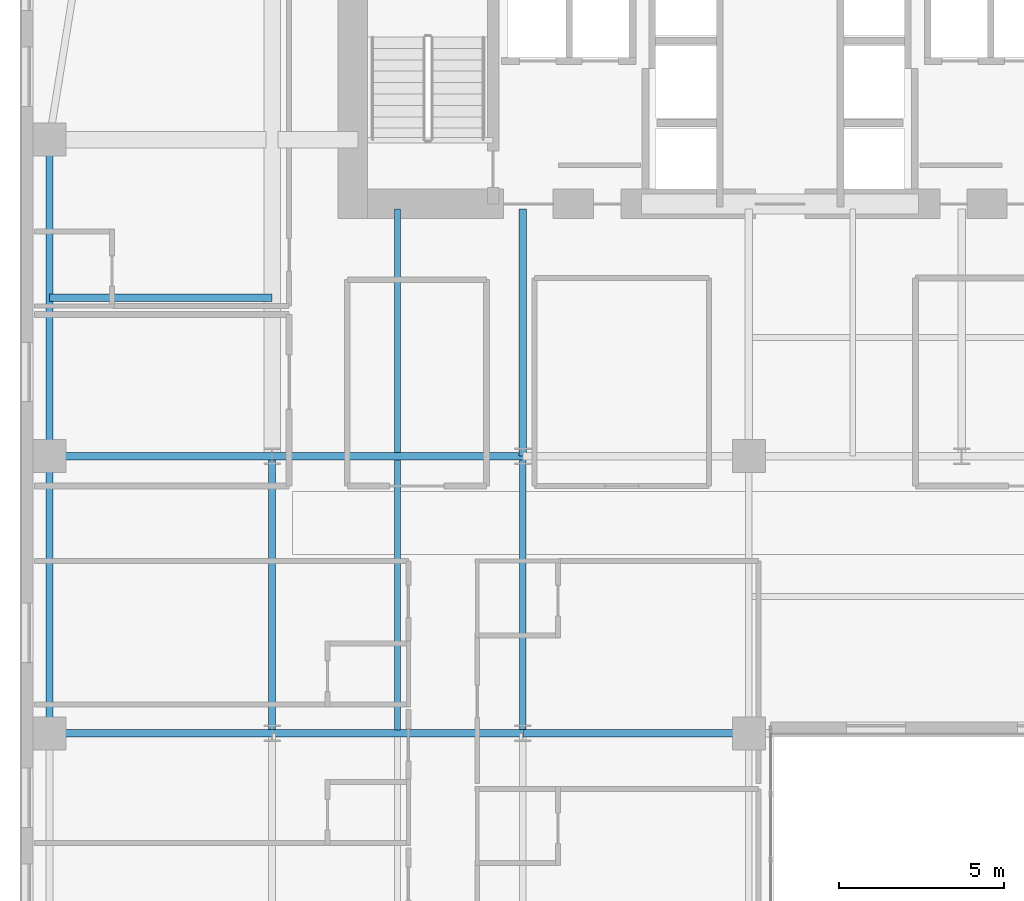
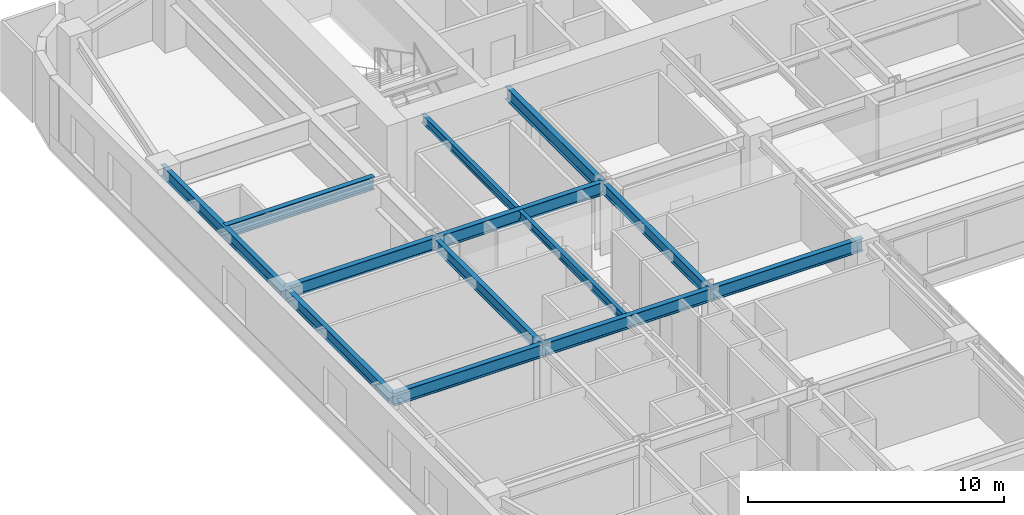
# One storey, part 4 of 25: 13 beams.
"""IFC4 building model written with IfcOpenShell, lengths in metres."""

from ifc_helpers import new_model, si_unit, direction, frame, origin, origin_2d, place, context, subcontext, project, spatial, i_section, extrude, source, transform, mapped, material, material_profile, profile_set, type_object, type_shapes, element, save


model = new_model("IFC4")

# Units and contexts
model_context = context("Model", 3, precision=1e-05, world=origin(), true_north=direction((0.0, 1.0)))
body_context = subcontext(model_context, "Body", "Model", "MODEL_VIEW")
ifc_project = project(units=[si_unit("LENGTHUNIT", "METRE"), si_unit("AREAUNIT", "SQUARE_METRE"), si_unit("VOLUMEUNIT", "CUBIC_METRE"), si_unit("PLANEANGLEUNIT", "RADIAN"), si_unit("MASSUNIT", "GRAM", prefix="KILO")], contexts=[model_context])

# Site, building, storey
site_placement = place(None, origin())
site = spatial("IfcSite", under=ifc_project, at=site_placement, CompositionType="ELEMENT")
building_placement = place(site_placement, origin())
building = spatial("IfcBuilding", under=site, at=building_placement, Name="Tolvann Quenvar Hotel", CompositionType="ELEMENT")
storey_placement = place(building_placement, frame((0.0, 0.0, 39.10009765625)))
storey = spatial("IfcBuildingStorey", under=building, at=storey_placement, Name="L08", CompositionType="ELEMENT", Elevation=39.10009765625)

# Beams
ifc_material = material(Name="Steel Grade 350", Category="steel")
ifc_material_profile_1 = material_profile(ifc_material, i_section(OverallWidth=0.22900390625, OverallDepth=0.612060546875, WebThickness=0.011962890625, FlangeThickness=0.01953125, FilletRadius=0.013916015625, at=origin_2d()), Name="610UB125")
ifc_profile_set_1 = profile_set([ifc_material_profile_1], Name="Steel Grade 350")
beam_type_1 = type_object("IfcBeamType", Name="BM_GIRD_610UB125", PredefinedType="BEAM", material=ifc_profile_set_1)
shared_shape_1 = source(origin(), body_context, "Body", "SweptSolid", [
    extrude(i_section(OverallWidth=0.22900390625, OverallDepth=0.612060546875, WebThickness=0.011962890625, FlangeThickness=0.01953125, FilletRadius=0.013916015625, at=origin_2d()), origin(), (0.0, 0.0, 1.0), 6.75),
])
for number, where, z_axis, x_axis, name in (
    (1, (0.85009765625, 16.0, 3.06396484375), (1.0, 0.0, 0.0), (0.0, 1.0, 0.0), "BM-L08-EW-4-B4-C4"),
    (2, (0.85009765625, 24.39990234375, 3.06396484375), (1.0, 0.0, 0.0), (0.0, 1.0, 0.0), "BM-L08-EW-5-B5-C5"),
    (3, (0.85009765625, 29.199951171875, 3.06396484375), (1.0, 0.0, 0.0), (0.0, 1.0, 0.0), "BM-L08-EW-BC29"),
):
    element("IfcBeam", number, at=place(storey_placement, frame(where, z_axis=z_axis, x_axis=x_axis)), inside=storey, type_object=beam_type_1, Name=name, PredefinedType="BEAM", context=body_context, shape_type="MappedRepresentation", body=[
        mapped(shared_shape_1, transform((0.0, 0.0, 0.0), x_axis=(1.0, 0.0, 0.0), y_axis=(0.0, 1.0, 0.0), z_axis=(0.0, 0.0, 1.0), scale=1.0)),
    ])
shared_shape_2 = source(origin(), body_context, "Body", "SweptSolid", [
    extrude(i_section(OverallWidth=0.22900390625, OverallDepth=0.612060546875, WebThickness=0.011962890625, FlangeThickness=0.01953125, FilletRadius=0.013916015625, at=origin_2d()), origin(), (0.0, 0.0, 1.0), 7.599853515625),
])
for number, where, z_axis, x_axis, name in (
    (4, (7.60009765625, 16.0, 3.06396484375), (1.0, 0.0, 0.0), (0.0, 1.0, 0.0), "BM-L08-EW-4-C4-D4"),
    (5, (7.60009765625, 24.39990234375, 3.06396484375), (1.0, 0.0, 0.0), (0.0, 1.0, 0.0), "BM-L08-EW-5-C5-D5"),
):
    element("IfcBeam", number, at=place(storey_placement, frame(where, z_axis=z_axis, x_axis=x_axis)), inside=storey, type_object=beam_type_1, Name=name, PredefinedType="BEAM", context=body_context, shape_type="MappedRepresentation", body=[
        mapped(shared_shape_2, transform((0.0, 0.0, 0.0), x_axis=(1.0, 0.0, 0.0), y_axis=(0.0, 1.0, 0.0), z_axis=(0.0, 0.0, 1.0), scale=1.0)),
    ])
shared_shape_3 = source(origin(), body_context, "Body", "SweptSolid", [
    extrude(i_section(OverallWidth=0.22900390625, OverallDepth=0.612060546875, WebThickness=0.011962890625, FlangeThickness=0.01953125, FilletRadius=0.013916015625, at=origin_2d()), origin(), (0.0, 0.0, 1.0), 6.85009765625),
])
beam_1_placement = place(storey_placement, frame((15.199951171875, 16.0, 3.06396484375), z_axis=(1.0, 0.0, 0.0), x_axis=(0.0, 1.0, 0.0)))
element("IfcBeam", 6, at=beam_1_placement, inside=storey, type_object=beam_type_1, Name="BM-L08-EW-4-D4-E4", PredefinedType="BEAM", context=body_context, shape_type="MappedRepresentation", body=[
    mapped(shared_shape_3, transform((0.0, 0.0, 0.0), x_axis=(1.0, 0.0, 0.0), y_axis=(0.0, 1.0, 0.0), z_axis=(0.0, 0.0, 1.0), scale=1.0)),
])
ifc_material_profile_2 = material_profile(ifc_material, i_section(OverallWidth=0.208984375, OverallDepth=0.528076171875, WebThickness=0.009521484375, FlangeThickness=0.01318359375, FilletRadius=0.013916015625, at=origin_2d()), Name="530UB82")
ifc_profile_set_2 = profile_set([ifc_material_profile_2], Name="Steel Grade 350")
beam_type_2 = type_object("IfcBeamType", Name="BM_SPAND_530UB82", PredefinedType="SPANDREL", material=ifc_profile_set_2)
shared_shape_4 = source(origin(), body_context, "Body", "SweptSolid", [
    extrude(i_section(OverallWidth=0.208984375, OverallDepth=0.528076171875, WebThickness=0.009521484375, FlangeThickness=0.01318359375, FilletRadius=0.013916015625, at=origin_2d()), origin(), (0.0, 0.0, 1.0), 8.39990234375),
])
beam_2_placement = place(storey_placement, frame((0.85009765625, 16.0, 3.10595703125), z_axis=(0.0, 1.0, 0.0), x_axis=(-1.0, 0.0, 0.0)))
element("IfcBeam", 7, at=beam_2_placement, inside=storey, type_object=beam_type_2, Name="BM-L08-NS-B4-B5", PredefinedType="SPANDREL", context=body_context, shape_type="MappedRepresentation", body=[
    mapped(shared_shape_4, transform((0.0, 0.0, 0.0), x_axis=(1.0, 0.0, 0.0), y_axis=(0.0, 1.0, 0.0), z_axis=(0.0, 0.0, 1.0), scale=1.0)),
])
ifc_material_profile_3 = material_profile(ifc_material, i_section(OverallWidth=0.208984375, OverallDepth=0.532958984375, WebThickness=0.01025390625, FlangeThickness=0.015625, FilletRadius=0.013916015625, at=origin_2d()), Name="530UB92")
ifc_profile_set_3 = profile_set([ifc_material_profile_3], Name="Steel Grade 350")
beam_type_3 = type_object("IfcBeamType", Name="BM_GIRD_530UB92", PredefinedType="BEAM", material=ifc_profile_set_3)
shared_shape_5 = source(origin(), body_context, "Body", "SweptSolid", [
    extrude(i_section(OverallWidth=0.208984375, OverallDepth=0.532958984375, WebThickness=0.01025390625, FlangeThickness=0.015625, FilletRadius=0.013916015625, at=origin_2d()), origin(), (0.0, 0.0, 1.0), 8.39990234375),
])
type_shapes(beam_type_3, [shared_shape_5])
for number, where, z_axis, x_axis, name in (
    (8, (7.60009765625, 16.0, 3.103515625), (0.0, 1.0, 0.0), (-1.0, 0.0, 0.0), "BM-L08-NS-C4-C5"),
    (9, (15.199951171875, 16.0, 3.103515625), (0.0, 1.0, 0.0), (-1.0, 0.0, 0.0), "BM-L08-NS-D4-D5"),
):
    element("IfcBeam", number, at=place(storey_placement, frame(where, z_axis=z_axis, x_axis=x_axis)), inside=storey, type_object=beam_type_3, Name=name, PredefinedType="BEAM", context=body_context, shape_type="MappedRepresentation", body=[
        mapped(shared_shape_5, transform((0.0, 0.0, 0.0), x_axis=(1.0, 0.0, 0.0), y_axis=(0.0, 1.0, 0.0), z_axis=(0.0, 0.0, 1.0), scale=1.0)),
    ])
shared_shape_6 = source(origin(), body_context, "Body", "SweptSolid", [
    extrude(i_section(OverallWidth=0.22900390625, OverallDepth=0.612060546875, WebThickness=0.011962890625, FlangeThickness=0.01953125, FilletRadius=0.013916015625, at=origin_2d()), origin(), (0.0, 0.0, 1.0), 7.5),
])
type_shapes(beam_type_1, [shared_shape_1, shared_shape_2, shared_shape_3, shared_shape_6])
beam_3_placement = place(storey_placement, frame((15.199951171875, 24.39990234375, 3.06396484375), z_axis=(0.0, 1.0, 0.0), x_axis=(-1.0, 0.0, 0.0)))
element("IfcBeam", 10, at=beam_3_placement, inside=storey, type_object=beam_type_1, Name="BM-L08-CORE-D5", PredefinedType="BEAM", context=body_context, shape_type="MappedRepresentation", body=[
    mapped(shared_shape_6, transform((0.0, 0.0, 0.0), x_axis=(1.0, 0.0, 0.0), y_axis=(0.0, 1.0, 0.0), z_axis=(0.0, 0.0, 1.0), scale=1.0)),
])
shared_shape_7 = source(origin(), body_context, "Body", "SweptSolid", [
    extrude(i_section(OverallWidth=0.208984375, OverallDepth=0.528076171875, WebThickness=0.009521484375, FlangeThickness=0.01318359375, FilletRadius=0.013916015625, at=origin_2d()), origin(), (0.0, 0.0, 1.0), 9.60009765625),
])
type_shapes(beam_type_2, [shared_shape_4, shared_shape_7])
beam_4_placement = place(storey_placement, frame((0.85009765625, 24.39990234375, 3.10595703125), z_axis=(0.0, 1.0, 0.0), x_axis=(-1.0, 0.0, 0.0)))
element("IfcBeam", 11, at=beam_4_placement, inside=storey, type_object=beam_type_2, Name="BM-L08-FLK-W1", PredefinedType="SPANDREL", context=body_context, shape_type="MappedRepresentation", body=[
    mapped(shared_shape_7, transform((0.0, 0.0, 0.0), x_axis=(1.0, 0.0, 0.0), y_axis=(0.0, 1.0, 0.0), z_axis=(0.0, 0.0, 1.0), scale=1.0)),
])
ifc_material_profile_4 = material_profile(ifc_material, i_section(OverallWidth=0.177978515625, OverallDepth=0.406005859375, WebThickness=0.0078125, FlangeThickness=0.0126953125, FilletRadius=0.011474609375, at=origin_2d()), Name="410UB60")
ifc_profile_set_4 = profile_set([ifc_material_profile_4], Name="Steel Grade 350")
beam_type_4 = type_object("IfcBeamType", Name="BM_JOIST_410UB60", PredefinedType="JOIST", material=ifc_profile_set_4)
shared_shape_8 = source(origin(), body_context, "Body", "SweptSolid", [
    extrude(i_section(OverallWidth=0.177978515625, OverallDepth=0.406005859375, WebThickness=0.0078125, FlangeThickness=0.0126953125, FilletRadius=0.011474609375, at=origin_2d()), origin(), (0.0, 0.0, 1.0), 8.18310546875),
])
beam_5_placement = place(storey_placement, frame((11.39990234375, 16.1083984375, 3.1669921875), z_axis=(0.0, 1.0, 0.0), x_axis=(-1.0, 0.0, 0.0)))
element("IfcBeam", 12, at=beam_5_placement, inside=storey, type_object=beam_type_4, Name="BJ-L08-114-160", PredefinedType="JOIST", context=body_context, shape_type="MappedRepresentation", body=[
    mapped(shared_shape_8, transform((0.0, 0.0, 0.0), x_axis=(1.0, 0.0, 0.0), y_axis=(0.0, 1.0, 0.0), z_axis=(0.0, 0.0, 1.0), scale=1.0)),
])
shared_shape_9 = source(origin(), body_context, "Body", "SweptSolid", [
    extrude(i_section(OverallWidth=0.177978515625, OverallDepth=0.406005859375, WebThickness=0.0078125, FlangeThickness=0.0126953125, FilletRadius=0.011474609375, at=origin_2d()), origin(), (0.0, 0.0, 1.0), 7.391357421875),
])
type_shapes(beam_type_4, [shared_shape_8, shared_shape_9])
beam_6_placement = place(storey_placement, frame((11.39990234375, 24.508544921875, 3.1669921875), z_axis=(0.0, 1.0, 0.0), x_axis=(-1.0, 0.0, 0.0)))
element("IfcBeam", 13, at=beam_6_placement, inside=storey, type_object=beam_type_4, Name="BJ-L08-114-244", PredefinedType="JOIST", context=body_context, shape_type="MappedRepresentation", body=[
    mapped(shared_shape_9, transform((0.0, 0.0, 0.0), x_axis=(1.0, 0.0, 0.0), y_axis=(0.0, 1.0, 0.0), z_axis=(0.0, 0.0, 1.0), scale=1.0)),
])

save(model, "model.ifc")
